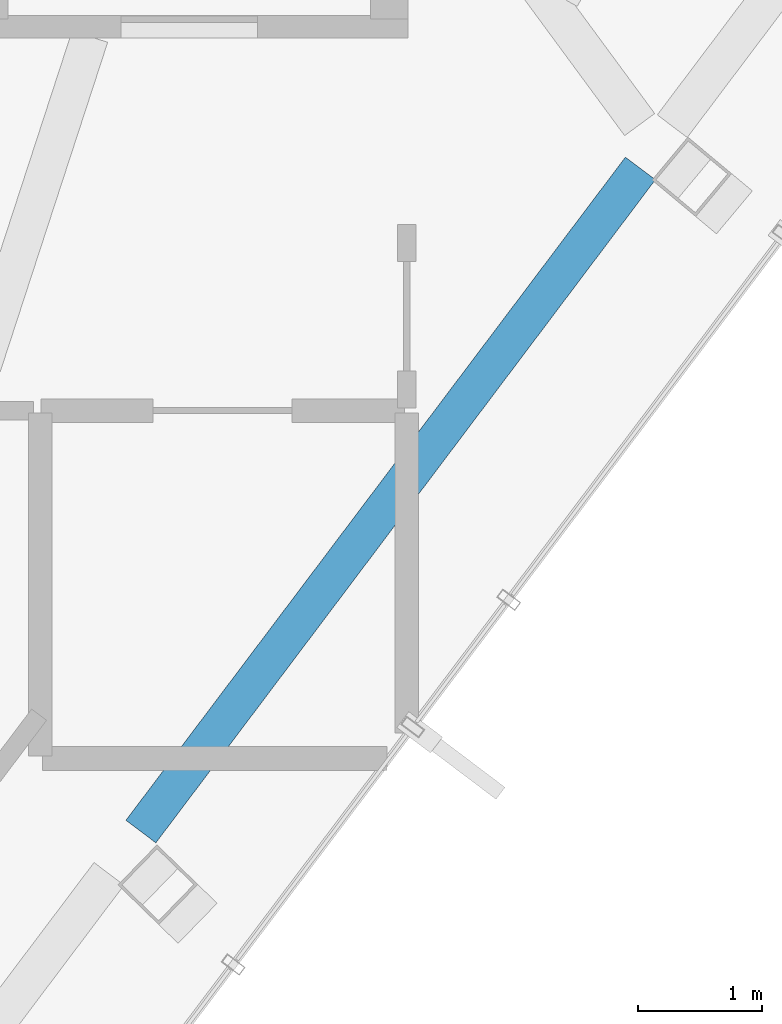
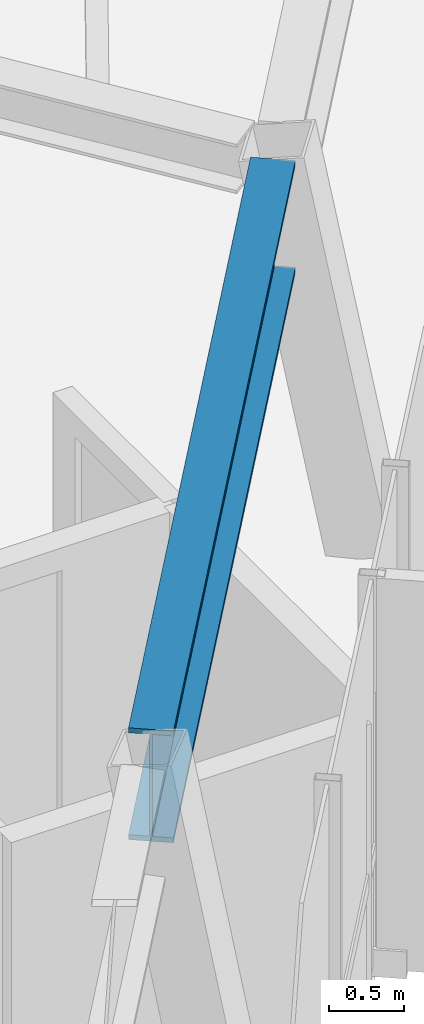
# One storey, part 7 of 21: 1 beam.
"""IFC4 building model written with IfcOpenShell, lengths in metres."""

from ifc_helpers import new_model, si_unit, direction, frame, origin, origin_2d, place, context, subcontext, project, spatial, i_section, extrude, material, material_profile, profile_set, type_object, element, save


model = new_model("IFC4")

# Units and contexts
model_context = context("Model", 3, precision=1e-05, world=origin(), true_north=direction((0.0, 1.0)))
body_context = subcontext(model_context, "Body", "Model", "MODEL_VIEW")
ifc_project = project(units=[si_unit("LENGTHUNIT", "METRE"), si_unit("AREAUNIT", "SQUARE_METRE"), si_unit("VOLUMEUNIT", "CUBIC_METRE"), si_unit("PLANEANGLEUNIT", "RADIAN"), si_unit("MASSUNIT", "GRAM", prefix="KILO")], contexts=[model_context])

# Site, building, storey
site_placement = place(None, origin())
site = spatial("IfcSite", under=ifc_project, at=site_placement, CompositionType="ELEMENT")
building_placement = place(site_placement, origin())
building = spatial("IfcBuilding", under=site, at=building_placement, Name="Zarrinselat Tower", CompositionType="ELEMENT")
storey_placement = place(building_placement, frame((0.0, 0.0, 285.60009765625)))
storey = spatial("IfcBuildingStorey", under=building, at=storey_placement, Name="L73", CompositionType="ELEMENT", Elevation=285.60009765625)

# Beam
ifc_material = material(Name="Steel S460M", Category="steel")
ifc_material_profile = material_profile(ifc_material, i_section(OverallWidth=0.302001953125, OverallDepth=0.909912109375, WebThickness=0.02099609375, FlangeThickness=0.0400390625, at=origin_2d()), Name="HEM 900")
ifc_profile_set = profile_set([ifc_material_profile], Name="Steel S460M")
beam_type = type_object("IfcBeamType", Name="BM-HEM900", PredefinedType="BEAM", material=ifc_profile_set)
beam_placement = place(storey_placement, frame((46.210205078125, 26.76171875, 2.724853515625), z_axis=(0.601682373339, 0.798735451581, 0.0), x_axis=(-0.798735451581, 0.601682373339, 0.0)))
element("IfcBeam", 1, at=beam_placement, inside=storey, type_object=beam_type, Name="L73 Perimeter Spandrel Girder SP12", PredefinedType="BEAM", context=body_context, shape_type="SweptSolid", body=[
    extrude(i_section(OverallWidth=0.302001953125, OverallDepth=0.909912109375, WebThickness=0.02099609375, FlangeThickness=0.0400390625, at=origin_2d()), origin(), (0.0, 0.0, 1.0), 6.681640625),
])

save(model, "model.ifc")
